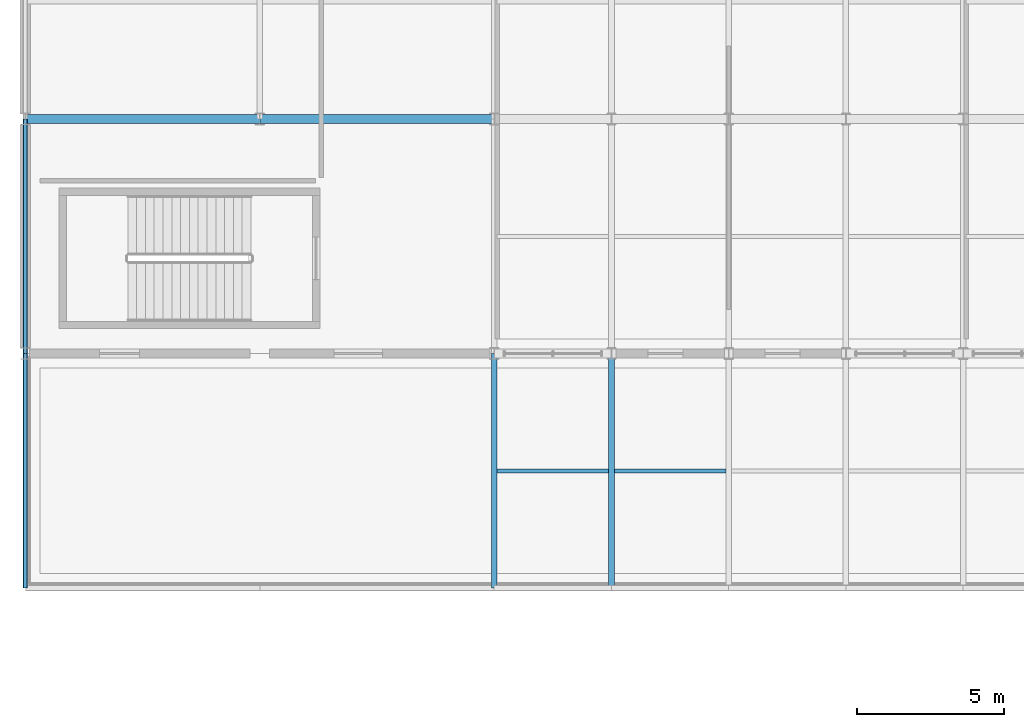
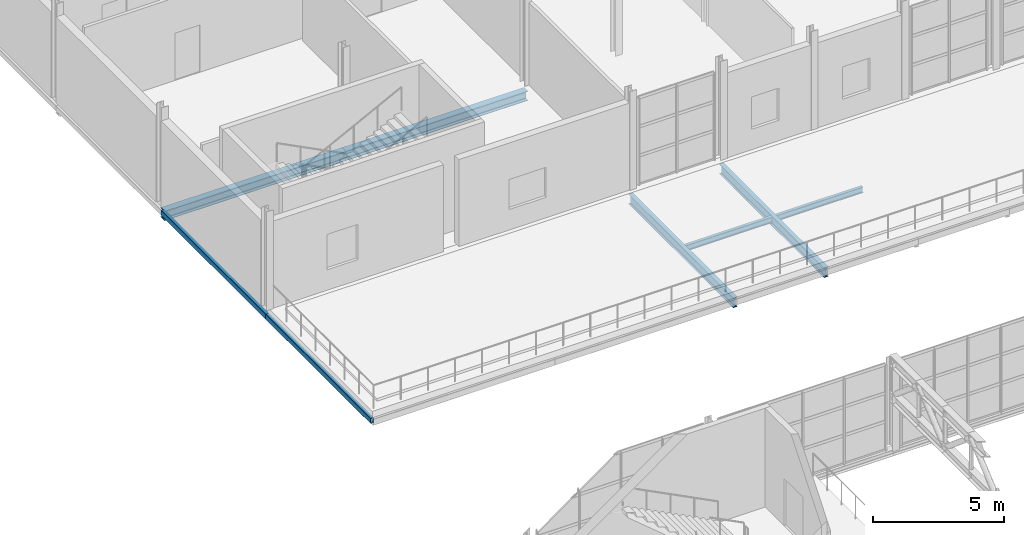
# One storey, part 44 of 67: 8 beams.
"""IFC4 building model written with IfcOpenShell, lengths in metres."""

from ifc_helpers import new_model, si_unit, derived_unit, direction, frame, origin, origin_2d, place, context, subcontext, project, spatial, hollow_rectangle, i_section, extrude, material, material_profile, profile_set, type_object, element, save


model = new_model("IFC4")

# Units and contexts
model_context = context("Model", 3, precision=1e-05, world=origin(), true_north=direction((0.0, 1.0)))
body_context = subcontext(model_context, "Body", "Model", "MODEL_VIEW")
ifc_project = project(units=[si_unit("LENGTHUNIT", "METRE"), si_unit("AREAUNIT", "SQUARE_METRE"), si_unit("VOLUMEUNIT", "CUBIC_METRE"), si_unit("PLANEANGLEUNIT", "RADIAN"), si_unit("MASSUNIT", "GRAM", prefix="KILO"), derived_unit("THERMALTRANSMITTANCEUNIT", [(si_unit("POWERUNIT", "WATT"), 1), (si_unit("LENGTHUNIT", "METRE"), -2), (si_unit("THERMODYNAMICTEMPERATUREUNIT", "KELVIN"), -1)])], contexts=[model_context])

# Site, building, storey
site_placement = place(None, origin())
site = spatial("IfcSite", under=ifc_project, at=site_placement, CompositionType="ELEMENT")
building_placement = place(site_placement, origin())
building = spatial("IfcBuilding", under=site, at=building_placement, Name="Keldorne Ridge Multi-Sports Centre", CompositionType="ELEMENT")
storey_placement = place(building_placement, frame((0.0, 0.0, 14.0)))
storey = spatial("IfcBuildingStorey", under=building, at=storey_placement, Name="L03", CompositionType="ELEMENT", Elevation=14.0)

# Beams
ifc_material = material(Name="Steel S355", Category="steel")
ifc_material_profile_1 = material_profile(ifc_material, i_section(OverallWidth=0.18994140625, OverallDepth=0.449951171875, WebThickness=0.009521484375, FlangeThickness=0.0146484375, FilletRadius=0.02099609375, at=origin_2d()), Name="IPE 450")
ifc_profile_set_1 = profile_set([ifc_material_profile_1], Name="Steel S355")
beam_type_1 = type_object("IfcBeamType", Name="BM-B-03", PredefinedType="BEAM", material=ifc_profile_set_1)
for number, where, z_axis, x_axis, name in (
    (1, (120.0, 66.0, -0.52490234375), (0.0, 1.0, 0.0), (-1.0, 0.0, 0.0), "L03 primary girder 120.1"),
    (2, (124.0, 66.0, -0.52490234375), (0.0, 1.0, 0.0), (-1.0, 0.0, 0.0), "L03 primary girder 124.1"),
):
    element("IfcBeam", number, at=place(storey_placement, frame(where, z_axis=z_axis, x_axis=x_axis)), inside=storey, type_object=beam_type_1, Name=name, PredefinedType="BEAM", context=body_context, shape_type="SweptSolid", body=[
        extrude(i_section(OverallWidth=0.18994140625, OverallDepth=0.449951171875, WebThickness=0.009521484375, FlangeThickness=0.0146484375, FilletRadius=0.02099609375, at=origin_2d()), origin(), (0.0, 0.0, 1.0), 8.0),
    ])
ifc_material_profile_2 = material_profile(ifc_material, i_section(OverallWidth=0.300048828125, OverallDepth=0.43994140625, WebThickness=0.011474609375, FlangeThickness=0.02099609375, FilletRadius=0.027099609375, at=origin_2d()), Name="HEA 450")
ifc_profile_set_2 = profile_set([ifc_material_profile_2], Name="Steel S355")
beam_type_2 = type_object("IfcBeamType", Name="BM-B-09", PredefinedType="BEAM", material=ifc_profile_set_2)
for number, where, z_axis, x_axis, name in (
    (3, (104.0, 82.0, -0.52001953125), (1.0, 0.0, 0.0), (0.0, 1.0, 0.0), "L03 primary beam 1.82"),
    (4, (112.0, 82.0, -0.52001953125), (1.0, 0.0, 0.0), (0.0, 1.0, 0.0), "L03 primary beam 2.82"),
):
    element("IfcBeam", number, at=place(storey_placement, frame(where, z_axis=z_axis, x_axis=x_axis)), inside=storey, type_object=beam_type_2, Name=name, PredefinedType="BEAM", context=body_context, shape_type="SweptSolid", body=[
        extrude(i_section(OverallWidth=0.300048828125, OverallDepth=0.43994140625, WebThickness=0.011474609375, FlangeThickness=0.02099609375, FilletRadius=0.027099609375, at=origin_2d()), origin(), (0.0, 0.0, 1.0), 8.0),
    ])
ifc_material_profile_3 = material_profile(ifc_material, i_section(OverallWidth=0.135009765625, OverallDepth=0.27001953125, WebThickness=0.006591796875, FlangeThickness=0.01025390625, FilletRadius=0.014892578125, at=origin_2d()), Name="IPE 270")
ifc_profile_set_3 = profile_set([ifc_material_profile_3], Name="Steel S355")
beam_type_3 = type_object("IfcBeamType", Name="BM-J-03", PredefinedType="JOIST", material=ifc_profile_set_3)
for number, where, z_axis, x_axis, name in (
    (5, (120.094970703125, 70.0, -0.43505859375), (1.0, 0.0, 0.0), (0.0, 1.0, 0.0), "L03 secondary joist 3.1"),
    (6, (124.094970703125, 70.0, -0.43505859375), (1.0, 0.0, 0.0), (0.0, 1.0, 0.0), "L03 secondary joist 4.1"),
):
    element("IfcBeam", number, at=place(storey_placement, frame(where, z_axis=z_axis, x_axis=x_axis)), inside=storey, type_object=beam_type_3, Name=name, PredefinedType="JOIST", context=body_context, shape_type="SweptSolid", body=[
        extrude(i_section(OverallWidth=0.135009765625, OverallDepth=0.27001953125, WebThickness=0.006591796875, FlangeThickness=0.01025390625, FilletRadius=0.014892578125, at=origin_2d()), origin(), (0.0, 0.0, 1.0), 3.81005859375),
    ])
ifc_material_profile_4 = material_profile(ifc_material, hollow_rectangle(XDim=0.14990234375, YDim=0.25, WallThickness=0.010009765625, InnerFilletRadius=0.010009765625, OuterFilletRadius=0.02001953125, at=origin_2d()), Name="RHS 250x150x10")
ifc_profile_set_4 = profile_set([ifc_material_profile_4], Name="Steel S355")
beam_type_4 = type_object("IfcBeamType", Name="BM-SP-02", PredefinedType="SPANDREL", material=ifc_profile_set_4)
for number, where, z_axis, x_axis, name in (
    (7, (104.0, 66.0, -0.425048828125), (0.0, 1.0, 0.0), (-1.0, 0.0, 0.0), "L03 primary girder 104.1"),
    (8, (104.0, 74.0, -0.425048828125), (0.0, 1.0, 0.0), (-1.0, 0.0, 0.0), "L03 primary girder 104.2"),
):
    element("IfcBeam", number, at=place(storey_placement, frame(where, z_axis=z_axis, x_axis=x_axis)), inside=storey, type_object=beam_type_4, Name=name, PredefinedType="SPANDREL", context=body_context, shape_type="SweptSolid", body=[
        extrude(hollow_rectangle(XDim=0.14990234375, YDim=0.25, WallThickness=0.010009765625, InnerFilletRadius=0.010009765625, OuterFilletRadius=0.02001953125, at=origin_2d()), origin(), (0.0, 0.0, 1.0), 8.0),
    ])

save(model, "model.ifc")
